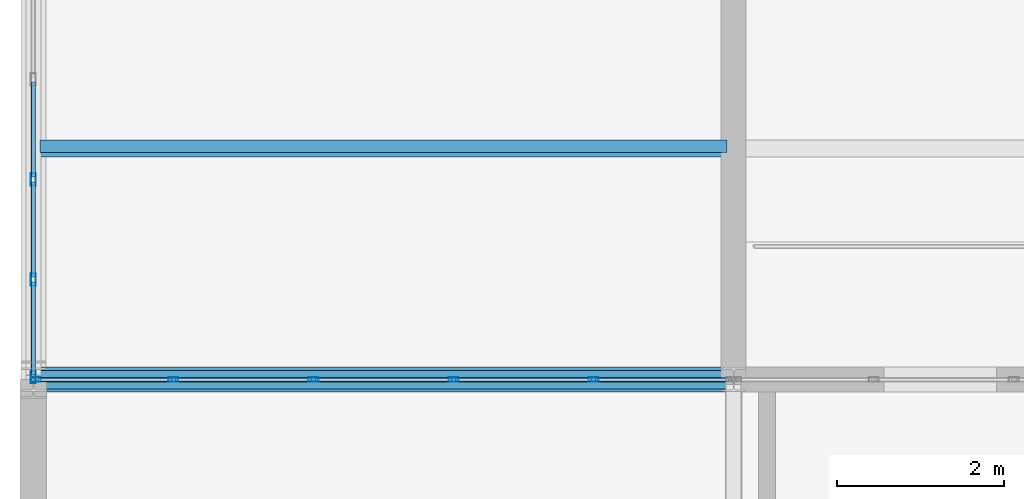
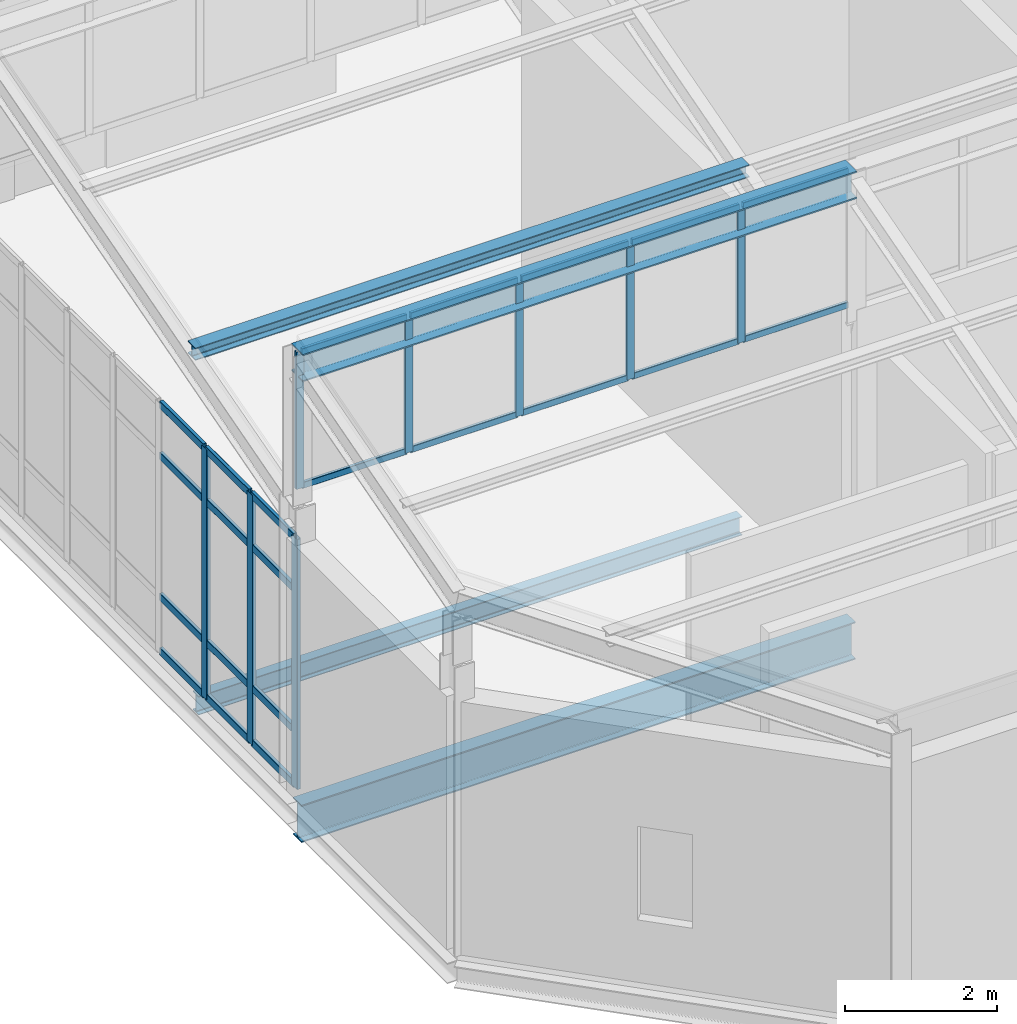
# One storey, part 6 of 53: 31 members, 3 beams, 2 elements without a shape of their own.
"""IFC4 building model written with IfcOpenShell, lengths in metres."""

from ifc_helpers import new_model, si_unit, direction, frame, origin, origin_2d, place, context, subcontext, project, spatial, hollow_rectangle, i_section, extrude, material, layer, layer_set, material_profile, profile_set, type_object, element, aggregate, save


model = new_model("IFC4")

# Units and contexts
model_context = context("Model", 3, precision=1e-05, world=origin(), true_north=direction((0.0, 1.0)))
body_context = subcontext(model_context, "Body", "Model", "MODEL_VIEW")
ifc_project = project(units=[si_unit("LENGTHUNIT", "METRE"), si_unit("AREAUNIT", "SQUARE_METRE"), si_unit("VOLUMEUNIT", "CUBIC_METRE"), si_unit("PLANEANGLEUNIT", "RADIAN"), si_unit("MASSUNIT", "GRAM", prefix="KILO")], contexts=[model_context])

# Site, building, storey
site_placement = place(None, origin())
site = spatial("IfcSite", under=ifc_project, at=site_placement, CompositionType="ELEMENT")
building_placement = place(site_placement, origin())
building = spatial("IfcBuilding", under=site, at=building_placement, Name="Qalvenar Corner Mobility Hub", CompositionType="ELEMENT")
storey_placement = place(building_placement, frame((0.0, 0.0, 26.39990234375)))
storey = spatial("IfcBuildingStorey", under=building, at=storey_placement, Name="L06", CompositionType="ELEMENT", Elevation=26.39990234375)

# Beams
ifc_material_1 = material(Name="Steel S355", Category="steel")
ifc_material_profile_1 = material_profile(ifc_material_1, i_section(OverallWidth=0.300048828125, OverallDepth=0.43994140625, WebThickness=0.011474609375, FlangeThickness=0.02099609375, FilletRadius=0.027099609375, at=origin_2d()), Name="HEA450")
ifc_profile_set_1 = profile_set([ifc_material_profile_1], Name="Steel S355")
beam_type_1 = type_object("IfcBeamType", Name="BM-HEA450", PredefinedType="BEAM", material=ifc_profile_set_1)
beam_1_placement = place(storey_placement, frame((0.0, 8.39990234375, 6.81005859375), z_axis=(1.0, 0.0, 0.0), x_axis=(0.0, 1.0, 0.0)))
element("IfcBeam", 1, at=beam_1_placement, inside=storey, type_object=beam_type_1, Name="Sawtooth Ridge Girder V3RDG-1-1", PredefinedType="BEAM", context=body_context, shape_type="SweptSolid", body=[
    extrude(i_section(OverallWidth=0.300048828125, OverallDepth=0.43994140625, WebThickness=0.011474609375, FlangeThickness=0.02099609375, FilletRadius=0.027099609375, at=origin_2d()), origin(), (0.0, 0.0, 1.0), 8.39990234375),
])
ifc_material_profile_2 = material_profile(ifc_material_1, i_section(OverallWidth=0.219970703125, OverallDepth=0.60009765625, WebThickness=0.011962890625, FlangeThickness=0.01904296875, FilletRadius=0.02392578125, at=origin_2d()), Name="IPE600")
ifc_profile_set_2 = profile_set([ifc_material_profile_2], Name="Steel S355")
beam_type_2 = type_object("IfcBeamType", Name="BM-IPE600", PredefinedType="BEAM", material=ifc_profile_set_2)
beam_2_placement = place(storey_placement, frame((0.0, 8.39990234375, -0.52001953125), z_axis=(1.0, 0.0, 0.0), x_axis=(0.0, 1.0, 0.0)))
element("IfcBeam", 2, at=beam_2_placement, inside=storey, type_object=beam_type_2, Name="Primary Steel Girder GX-3057", PredefinedType="BEAM", context=body_context, shape_type="SweptSolid", body=[
    extrude(i_section(OverallWidth=0.219970703125, OverallDepth=0.60009765625, WebThickness=0.011962890625, FlangeThickness=0.01904296875, FilletRadius=0.02392578125, at=origin_2d()), origin(), (0.0, 0.0, 1.0), 8.39990234375),
])
ifc_material_profile_3 = material_profile(ifc_material_1, i_section(OverallWidth=0.14990234375, OverallDepth=0.300048828125, WebThickness=0.007080078125, FlangeThickness=0.0107421875, FilletRadius=0.014892578125, at=origin_2d()), Name="IPE300")
ifc_profile_set_3 = profile_set([ifc_material_profile_3], Name="Steel S355")
beam_type_3 = type_object("IfcBeamType", Name="BM-JST300", PredefinedType="JOIST", material=ifc_profile_set_3)
beam_3_placement = place(storey_placement, frame((0.077880859375, 11.199951171875, -0.369873046875), z_axis=(1.0, 0.0, 0.0), x_axis=(0.0, 1.0, 0.0)))
element("IfcBeam", 3, at=beam_3_placement, inside=storey, type_object=beam_type_3, Name="Composite Floor Joist J-3104", PredefinedType="JOIST", context=body_context, shape_type="SweptSolid", body=[
    extrude(i_section(OverallWidth=0.14990234375, OverallDepth=0.300048828125, WebThickness=0.007080078125, FlangeThickness=0.0107421875, FilletRadius=0.014892578125, at=origin_2d()), origin(), (0.0, 0.0, 1.0), 8.244140625),
])

# Curtain wall, members
ifc_material_2 = material(Name="Anodised Aluminium and Low-E Glazing", Category="aluminium")
ifc_layer_1 = layer(ifc_material_2, 0.1201171875)
ifc_layer_set_1 = layer_set([ifc_layer_1], Name="Anodised Aluminium and Low-E Glazing")
curtain_wall_type_1 = type_object("IfcCurtainWallType", Name="CW-CLR-84X24", PredefinedType="NOTDEFINED", material=ifc_layer_set_1)
curtain_wall_1_placement = place(storey_placement, origin())
curtain_wall_1 = element("IfcCurtainWall", 4, at=curtain_wall_1_placement, inside=storey, type_object=curtain_wall_type_1, Name="Glazed Curtain Wall CW-V3-SAW-1-0", PredefinedType="NOTDEFINED")
ifc_material_3 = material(Name="Anodised Aluminium 6063-T6", Category="aluminium")
ifc_material_profile_4 = material_profile(ifc_material_3, hollow_rectangle(XDim=0.054931640625, YDim=0.1201171875, WallThickness=0.00341796875, InnerFilletRadius=0.00341796875, OuterFilletRadius=0.007080078125, at=origin_2d()), Name="RHS120x55x3.5")
ifc_profile_set_4 = profile_set([ifc_material_profile_4], Name="Anodised Aluminium 6063-T6")
member_type_1 = type_object("IfcMemberType", Name="CW-MUL120", PredefinedType="MULLION", material=ifc_profile_set_4)
member_1_placement = place(storey_placement, frame((6.719970703125, 8.39990234375, 4.800048828125), z_axis=(0.0, 0.0, 1.0), x_axis=(0.0, -1.0, 0.0)))
member_1 = element("IfcMember", 5, at=member_1_placement, type_object=member_type_1, Name="CW-12 mullion 2", PredefinedType="MULLION", context=body_context, shape_type="SweptSolid", body=[
    extrude(hollow_rectangle(XDim=0.054931640625, YDim=0.1201171875, WallThickness=0.00341796875, InnerFilletRadius=0.00341796875, OuterFilletRadius=0.007080078125, at=origin_2d()), origin(), (0.0, 0.0, 1.0), 2.199951171875),
])
member_2_placement = place(storey_placement, frame((5.0400390625, 8.39990234375, 4.800048828125), z_axis=(0.0, 0.0, 1.0), x_axis=(0.0, -1.0, 0.0)))
member_2 = element("IfcMember", 6, at=member_2_placement, type_object=member_type_1, Name="CW-12 mullion 3", PredefinedType="MULLION", context=body_context, shape_type="SweptSolid", body=[
    extrude(hollow_rectangle(XDim=0.054931640625, YDim=0.1201171875, WallThickness=0.00341796875, InnerFilletRadius=0.00341796875, OuterFilletRadius=0.007080078125, at=origin_2d()), origin(), (0.0, 0.0, 1.0), 2.199951171875),
])
member_3_placement = place(storey_placement, frame((3.360107421875, 8.39990234375, 4.800048828125), z_axis=(0.0, 0.0, 1.0), x_axis=(0.0, -1.0, 0.0)))
member_3 = element("IfcMember", 7, at=member_3_placement, type_object=member_type_1, Name="CW-12 mullion 4", PredefinedType="MULLION", context=body_context, shape_type="SweptSolid", body=[
    extrude(hollow_rectangle(XDim=0.054931640625, YDim=0.1201171875, WallThickness=0.00341796875, InnerFilletRadius=0.00341796875, OuterFilletRadius=0.007080078125, at=origin_2d()), origin(), (0.0, 0.0, 1.0), 2.199951171875),
])
member_4_placement = place(storey_placement, frame((1.679931640625, 8.39990234375, 4.800048828125), z_axis=(0.0, 0.0, 1.0), x_axis=(0.0, -1.0, 0.0)))
member_4 = element("IfcMember", 8, at=member_4_placement, type_object=member_type_1, Name="CW-12 mullion 5", PredefinedType="MULLION", context=body_context, shape_type="SweptSolid", body=[
    extrude(hollow_rectangle(XDim=0.054931640625, YDim=0.1201171875, WallThickness=0.00341796875, InnerFilletRadius=0.00341796875, OuterFilletRadius=0.007080078125, at=origin_2d()), origin(), (0.0, 0.0, 1.0), 2.199951171875),
])
member_5_placement = place(storey_placement, frame((0.030029296875, 8.39990234375, 4.800048828125), z_axis=(0.0, 0.0, 1.0), x_axis=(0.0, -1.0, 0.0)))
member_5 = element("IfcMember", 9, at=member_5_placement, type_object=member_type_1, Name="CW-12 mullion 6", PredefinedType="MULLION", context=body_context, shape_type="SweptSolid", body=[
    extrude(hollow_rectangle(XDim=0.054931640625, YDim=0.1201171875, WallThickness=0.00341796875, InnerFilletRadius=0.00341796875, OuterFilletRadius=0.007080078125, at=origin_2d()), origin(), (0.0, 0.0, 1.0), 2.199951171875),
])

ifc_layer_2 = layer(ifc_material_2, 0.14990234375)
ifc_layer_set_2 = layer_set([ifc_layer_2], Name="Anodised Aluminium and Low-E Glazing")
curtain_wall_type_2 = type_object("IfcCurtainWallType", Name="CW-CIV-84X40", PredefinedType="NOTDEFINED", material=ifc_layer_set_2)
curtain_wall_2_placement = place(storey_placement, origin())
curtain_wall_2 = element("IfcCurtainWall", 10, at=curtain_wall_2_placement, inside=storey, type_object=curtain_wall_type_2, Name="Glazed Curtain Wall CW-V3-L06-W1", PredefinedType="NOTDEFINED")
ifc_material_profile_5 = material_profile(ifc_material_3, hollow_rectangle(XDim=0.06005859375, YDim=0.14990234375, WallThickness=0.00390625, InnerFilletRadius=0.00390625, OuterFilletRadius=0.008056640625, at=origin_2d()), Name="RHS150x60x4")
ifc_profile_set_5 = profile_set([ifc_material_profile_5], Name="Anodised Aluminium 6063-T6")
member_type_2 = type_object("IfcMemberType", Name="CW-MUL150", PredefinedType="MULLION", material=ifc_profile_set_5)
member_6_placement = place(storey_placement, frame((0.0, 10.800048828125, 0.0), z_axis=(0.0, 0.0, 1.0), x_axis=(1.0, 0.0, 0.0)))
member_6 = element("IfcMember", 11, at=member_6_placement, type_object=member_type_2, Name="CW-05 mullion 6", PredefinedType="MULLION", context=body_context, shape_type="SweptSolid", body=[
    extrude(hollow_rectangle(XDim=0.06005859375, YDim=0.14990234375, WallThickness=0.00390625, InnerFilletRadius=0.00390625, OuterFilletRadius=0.008056640625, at=origin_2d()), origin(), (0.0, 0.0, 1.0), 4.010009765625),
])
member_7_placement = place(storey_placement, frame((0.0, 9.60009765625, 0.0), z_axis=(0.0, 0.0, 1.0), x_axis=(1.0, 0.0, 0.0)))
member_7 = element("IfcMember", 12, at=member_7_placement, type_object=member_type_2, Name="CW-05 mullion 7", PredefinedType="MULLION", context=body_context, shape_type="SweptSolid", body=[
    extrude(hollow_rectangle(XDim=0.06005859375, YDim=0.14990234375, WallThickness=0.00390625, InnerFilletRadius=0.00390625, OuterFilletRadius=0.008056640625, at=origin_2d()), origin(), (0.0, 0.0, 1.0), 4.010009765625),
])
member_8_placement = place(storey_placement, frame((0.0, 8.429931640625, 0.0), z_axis=(0.0, 0.0, 1.0), x_axis=(1.0, 0.0, 0.0)))
member_8 = element("IfcMember", 13, at=member_8_placement, type_object=member_type_2, Name="CW-05 mullion 8", PredefinedType="MULLION", context=body_context, shape_type="SweptSolid", body=[
    extrude(hollow_rectangle(XDim=0.06005859375, YDim=0.14990234375, WallThickness=0.00390625, InnerFilletRadius=0.00390625, OuterFilletRadius=0.008056640625, at=origin_2d()), origin(), (0.0, 0.0, 1.0), 4.010009765625),
])

# Member
ifc_material_profile_6 = material_profile(ifc_material_3, hollow_rectangle(XDim=0.050048828125, YDim=0.10009765625, WallThickness=0.0029296875, InnerFilletRadius=0.0029296875, OuterFilletRadius=0.006103515625, at=origin_2d()), Name="RHS100x50x3")
ifc_profile_set_6 = profile_set([ifc_material_profile_6], Name="Anodised Aluminium 6063-T6")
member_type_3 = type_object("IfcMemberType", Name="CW-TRN100", PredefinedType="USERDEFINED", material=ifc_profile_set_6)
member_9_placement = place(storey_placement, frame((8.340087890625, 8.39990234375, 4.82763671875), z_axis=(-1.0, 0.0, 0.0), x_axis=(0.0, -1.0, 0.0)))
member_9 = element("IfcMember", 14, at=member_9_placement, type_object=member_type_3, Name="CW-12 transom 1.1", ObjectType="TRANSOM", PredefinedType="USERDEFINED", context=body_context, shape_type="SweptSolid", body=[
    extrude(hollow_rectangle(XDim=0.050048828125, YDim=0.10009765625, WallThickness=0.0029296875, InnerFilletRadius=0.0029296875, OuterFilletRadius=0.006103515625, at=origin_2d()), origin(), (0.0, 0.0, 1.0), 1.590087890625),
])

member_10_placement = place(storey_placement, frame((8.340087890625, 8.39990234375, 6.97265625), z_axis=(-1.0, 0.0, 0.0), x_axis=(0.0, -1.0, 0.0)))
member_10 = element("IfcMember", 15, at=member_10_placement, type_object=member_type_3, Name="CW-12 transom 1.2", ObjectType="TRANSOM", PredefinedType="USERDEFINED", context=body_context, shape_type="SweptSolid", body=[
    extrude(hollow_rectangle(XDim=0.050048828125, YDim=0.10009765625, WallThickness=0.0029296875, InnerFilletRadius=0.0029296875, OuterFilletRadius=0.006103515625, at=origin_2d()), origin(), (0.0, 0.0, 1.0), 1.590087890625),
])

member_11_placement = place(storey_placement, frame((6.68994140625, 8.39990234375, 4.82763671875), z_axis=(-1.0, 0.0, 0.0), x_axis=(0.0, -1.0, 0.0)))
member_11 = element("IfcMember", 16, at=member_11_placement, type_object=member_type_3, Name="CW-12 transom 2.1", ObjectType="TRANSOM", PredefinedType="USERDEFINED", context=body_context, shape_type="SweptSolid", body=[
    extrude(hollow_rectangle(XDim=0.050048828125, YDim=0.10009765625, WallThickness=0.0029296875, InnerFilletRadius=0.0029296875, OuterFilletRadius=0.006103515625, at=origin_2d()), origin(), (0.0, 0.0, 1.0), 1.619873046875),
])

member_12_placement = place(storey_placement, frame((6.68994140625, 8.39990234375, 6.97265625), z_axis=(-1.0, 0.0, 0.0), x_axis=(0.0, -1.0, 0.0)))
member_12 = element("IfcMember", 17, at=member_12_placement, type_object=member_type_3, Name="CW-12 transom 2.2", ObjectType="TRANSOM", PredefinedType="USERDEFINED", context=body_context, shape_type="SweptSolid", body=[
    extrude(hollow_rectangle(XDim=0.050048828125, YDim=0.10009765625, WallThickness=0.0029296875, InnerFilletRadius=0.0029296875, OuterFilletRadius=0.006103515625, at=origin_2d()), origin(), (0.0, 0.0, 1.0), 1.619873046875),
])

member_13_placement = place(storey_placement, frame((5.010009765625, 8.39990234375, 4.82763671875), z_axis=(-1.0, 0.0, 0.0), x_axis=(0.0, -1.0, 0.0)))
member_13 = element("IfcMember", 18, at=member_13_placement, type_object=member_type_3, Name="CW-12 transom 3.1", ObjectType="TRANSOM", PredefinedType="USERDEFINED", context=body_context, shape_type="SweptSolid", body=[
    extrude(hollow_rectangle(XDim=0.050048828125, YDim=0.10009765625, WallThickness=0.0029296875, InnerFilletRadius=0.0029296875, OuterFilletRadius=0.006103515625, at=origin_2d()), origin(), (0.0, 0.0, 1.0), 1.6201171875),
])

member_14_placement = place(storey_placement, frame((5.010009765625, 8.39990234375, 6.97265625), z_axis=(-1.0, 0.0, 0.0), x_axis=(0.0, -1.0, 0.0)))
member_14 = element("IfcMember", 19, at=member_14_placement, type_object=member_type_3, Name="CW-12 transom 3.2", ObjectType="TRANSOM", PredefinedType="USERDEFINED", context=body_context, shape_type="SweptSolid", body=[
    extrude(hollow_rectangle(XDim=0.050048828125, YDim=0.10009765625, WallThickness=0.0029296875, InnerFilletRadius=0.0029296875, OuterFilletRadius=0.006103515625, at=origin_2d()), origin(), (0.0, 0.0, 1.0), 1.6201171875),
])

member_15_placement = place(storey_placement, frame((3.330078125, 8.39990234375, 4.82763671875), z_axis=(-1.0, 0.0, 0.0), x_axis=(0.0, -1.0, 0.0)))
member_15 = element("IfcMember", 20, at=member_15_placement, type_object=member_type_3, Name="CW-12 transom 4.1", ObjectType="TRANSOM", PredefinedType="USERDEFINED", context=body_context, shape_type="SweptSolid", body=[
    extrude(hollow_rectangle(XDim=0.050048828125, YDim=0.10009765625, WallThickness=0.0029296875, InnerFilletRadius=0.0029296875, OuterFilletRadius=0.006103515625, at=origin_2d()), origin(), (0.0, 0.0, 1.0), 1.6201171875),
])

member_16_placement = place(storey_placement, frame((3.330078125, 8.39990234375, 6.97265625), z_axis=(-1.0, 0.0, 0.0), x_axis=(0.0, -1.0, 0.0)))
member_16 = element("IfcMember", 21, at=member_16_placement, type_object=member_type_3, Name="CW-12 transom 4.2", ObjectType="TRANSOM", PredefinedType="USERDEFINED", context=body_context, shape_type="SweptSolid", body=[
    extrude(hollow_rectangle(XDim=0.050048828125, YDim=0.10009765625, WallThickness=0.0029296875, InnerFilletRadius=0.0029296875, OuterFilletRadius=0.006103515625, at=origin_2d()), origin(), (0.0, 0.0, 1.0), 1.6201171875),
])

member_17_placement = place(storey_placement, frame((1.64990234375, 8.39990234375, 4.82763671875), z_axis=(-1.0, 0.0, 0.0), x_axis=(0.0, -1.0, 0.0)))
member_17 = element("IfcMember", 22, at=member_17_placement, type_object=member_type_3, Name="CW-12 transom 5.1", ObjectType="TRANSOM", PredefinedType="USERDEFINED", context=body_context, shape_type="SweptSolid", body=[
    extrude(hollow_rectangle(XDim=0.050048828125, YDim=0.10009765625, WallThickness=0.0029296875, InnerFilletRadius=0.0029296875, OuterFilletRadius=0.006103515625, at=origin_2d()), origin(), (0.0, 0.0, 1.0), 1.58984375),
])

member_18_placement = place(storey_placement, frame((1.64990234375, 8.39990234375, 6.97265625), z_axis=(-1.0, 0.0, 0.0), x_axis=(0.0, -1.0, 0.0)))
member_18 = element("IfcMember", 23, at=member_18_placement, type_object=member_type_3, Name="CW-12 transom 5.2", ObjectType="TRANSOM", PredefinedType="USERDEFINED", context=body_context, shape_type="SweptSolid", body=[
    extrude(hollow_rectangle(XDim=0.050048828125, YDim=0.10009765625, WallThickness=0.0029296875, InnerFilletRadius=0.0029296875, OuterFilletRadius=0.006103515625, at=origin_2d()), origin(), (0.0, 0.0, 1.0), 1.58984375),
])

aggregate(curtain_wall_1, [member_1, member_2, member_3, member_4, member_5, member_9, member_10, member_11, member_12, member_13, member_14, member_15, member_16, member_17, member_18])

ifc_material_profile_7 = material_profile(ifc_material_3, hollow_rectangle(XDim=0.054931640625, YDim=0.1201171875, WallThickness=0.00341796875, InnerFilletRadius=0.00341796875, OuterFilletRadius=0.007080078125, at=origin_2d()), Name="RHS120x55x3.5")
ifc_profile_set_7 = profile_set([ifc_material_profile_7], Name="Anodised Aluminium 6063-T6")
member_type_4 = type_object("IfcMemberType", Name="CW-TRN120", PredefinedType="USERDEFINED", material=ifc_profile_set_7)
member_19_placement = place(storey_placement, frame((0.0, 11.969970703125, 0.027587890625), z_axis=(0.0, -1.0, 0.0), x_axis=(1.0, 0.0, 0.0)))
member_19 = element("IfcMember", 24, at=member_19_placement, type_object=member_type_4, Name="CW-05 transom 5.1", ObjectType="TRANSOM", PredefinedType="USERDEFINED", context=body_context, shape_type="SweptSolid", body=[
    extrude(hollow_rectangle(XDim=0.054931640625, YDim=0.1201171875, WallThickness=0.00341796875, InnerFilletRadius=0.00341796875, OuterFilletRadius=0.007080078125, at=origin_2d()), origin(), (0.0, 0.0, 1.0), 1.139892578125),
])

member_20_placement = place(storey_placement, frame((0.0, 11.969970703125, 0.900146484375), z_axis=(0.0, -1.0, 0.0), x_axis=(1.0, 0.0, 0.0)))
member_20 = element("IfcMember", 25, at=member_20_placement, type_object=member_type_4, Name="CW-05 transom 5.2", ObjectType="TRANSOM", PredefinedType="USERDEFINED", context=body_context, shape_type="SweptSolid", body=[
    extrude(hollow_rectangle(XDim=0.054931640625, YDim=0.1201171875, WallThickness=0.00341796875, InnerFilletRadius=0.00341796875, OuterFilletRadius=0.007080078125, at=origin_2d()), origin(), (0.0, 0.0, 1.0), 1.139892578125),
])

member_21_placement = place(storey_placement, frame((0.0, 11.969970703125, 3.16015625), z_axis=(0.0, -1.0, 0.0), x_axis=(1.0, 0.0, 0.0)))
member_21 = element("IfcMember", 26, at=member_21_placement, type_object=member_type_4, Name="CW-05 transom 5.3", ObjectType="TRANSOM", PredefinedType="USERDEFINED", context=body_context, shape_type="SweptSolid", body=[
    extrude(hollow_rectangle(XDim=0.054931640625, YDim=0.1201171875, WallThickness=0.00341796875, InnerFilletRadius=0.00341796875, OuterFilletRadius=0.007080078125, at=origin_2d()), origin(), (0.0, 0.0, 1.0), 1.139892578125),
])

member_22_placement = place(storey_placement, frame((0.0, 11.969970703125, 3.982666015625), z_axis=(0.0, -1.0, 0.0), x_axis=(1.0, 0.0, 0.0)))
member_22 = element("IfcMember", 27, at=member_22_placement, type_object=member_type_4, Name="CW-05 transom 5.4", ObjectType="TRANSOM", PredefinedType="USERDEFINED", context=body_context, shape_type="SweptSolid", body=[
    extrude(hollow_rectangle(XDim=0.054931640625, YDim=0.1201171875, WallThickness=0.00341796875, InnerFilletRadius=0.00341796875, OuterFilletRadius=0.007080078125, at=origin_2d()), origin(), (0.0, 0.0, 1.0), 1.139892578125),
])

member_23_placement = place(storey_placement, frame((0.0, 10.77001953125, 0.027587890625), z_axis=(0.0, -1.0, 0.0), x_axis=(1.0, 0.0, 0.0)))
member_23 = element("IfcMember", 28, at=member_23_placement, type_object=member_type_4, Name="CW-05 transom 6.1", ObjectType="TRANSOM", PredefinedType="USERDEFINED", context=body_context, shape_type="SweptSolid", body=[
    extrude(hollow_rectangle(XDim=0.054931640625, YDim=0.1201171875, WallThickness=0.00341796875, InnerFilletRadius=0.00341796875, OuterFilletRadius=0.007080078125, at=origin_2d()), origin(), (0.0, 0.0, 1.0), 1.14013671875),
])

member_24_placement = place(storey_placement, frame((0.0, 10.77001953125, 0.900146484375), z_axis=(0.0, -1.0, 0.0), x_axis=(1.0, 0.0, 0.0)))
member_24 = element("IfcMember", 29, at=member_24_placement, type_object=member_type_4, Name="CW-05 transom 6.2", ObjectType="TRANSOM", PredefinedType="USERDEFINED", context=body_context, shape_type="SweptSolid", body=[
    extrude(hollow_rectangle(XDim=0.054931640625, YDim=0.1201171875, WallThickness=0.00341796875, InnerFilletRadius=0.00341796875, OuterFilletRadius=0.007080078125, at=origin_2d()), origin(), (0.0, 0.0, 1.0), 1.14013671875),
])

member_25_placement = place(storey_placement, frame((0.0, 10.77001953125, 3.16015625), z_axis=(0.0, -1.0, 0.0), x_axis=(1.0, 0.0, 0.0)))
member_25 = element("IfcMember", 30, at=member_25_placement, type_object=member_type_4, Name="CW-05 transom 6.3", ObjectType="TRANSOM", PredefinedType="USERDEFINED", context=body_context, shape_type="SweptSolid", body=[
    extrude(hollow_rectangle(XDim=0.054931640625, YDim=0.1201171875, WallThickness=0.00341796875, InnerFilletRadius=0.00341796875, OuterFilletRadius=0.007080078125, at=origin_2d()), origin(), (0.0, 0.0, 1.0), 1.14013671875),
])

member_26_placement = place(storey_placement, frame((0.0, 10.77001953125, 3.982666015625), z_axis=(0.0, -1.0, 0.0), x_axis=(1.0, 0.0, 0.0)))
member_26 = element("IfcMember", 31, at=member_26_placement, type_object=member_type_4, Name="CW-05 transom 6.4", ObjectType="TRANSOM", PredefinedType="USERDEFINED", context=body_context, shape_type="SweptSolid", body=[
    extrude(hollow_rectangle(XDim=0.054931640625, YDim=0.1201171875, WallThickness=0.00341796875, InnerFilletRadius=0.00341796875, OuterFilletRadius=0.007080078125, at=origin_2d()), origin(), (0.0, 0.0, 1.0), 1.14013671875),
])

member_27_placement = place(storey_placement, frame((0.0, 9.570068359375, 0.027587890625), z_axis=(0.0, -1.0, 0.0), x_axis=(1.0, 0.0, 0.0)))
member_27 = element("IfcMember", 32, at=member_27_placement, type_object=member_type_4, Name="CW-05 transom 7.1", ObjectType="TRANSOM", PredefinedType="USERDEFINED", context=body_context, shape_type="SweptSolid", body=[
    extrude(hollow_rectangle(XDim=0.054931640625, YDim=0.1201171875, WallThickness=0.00341796875, InnerFilletRadius=0.00341796875, OuterFilletRadius=0.007080078125, at=origin_2d()), origin(), (0.0, 0.0, 1.0), 1.110107421875),
])

member_28_placement = place(storey_placement, frame((0.0, 9.570068359375, 0.900146484375), z_axis=(0.0, -1.0, 0.0), x_axis=(1.0, 0.0, 0.0)))
member_28 = element("IfcMember", 33, at=member_28_placement, type_object=member_type_4, Name="CW-05 transom 7.2", ObjectType="TRANSOM", PredefinedType="USERDEFINED", context=body_context, shape_type="SweptSolid", body=[
    extrude(hollow_rectangle(XDim=0.054931640625, YDim=0.1201171875, WallThickness=0.00341796875, InnerFilletRadius=0.00341796875, OuterFilletRadius=0.007080078125, at=origin_2d()), origin(), (0.0, 0.0, 1.0), 1.110107421875),
])

member_29_placement = place(storey_placement, frame((0.0, 9.570068359375, 3.16015625), z_axis=(0.0, -1.0, 0.0), x_axis=(1.0, 0.0, 0.0)))
member_29 = element("IfcMember", 34, at=member_29_placement, type_object=member_type_4, Name="CW-05 transom 7.3", ObjectType="TRANSOM", PredefinedType="USERDEFINED", context=body_context, shape_type="SweptSolid", body=[
    extrude(hollow_rectangle(XDim=0.054931640625, YDim=0.1201171875, WallThickness=0.00341796875, InnerFilletRadius=0.00341796875, OuterFilletRadius=0.007080078125, at=origin_2d()), origin(), (0.0, 0.0, 1.0), 1.110107421875),
])

member_30_placement = place(storey_placement, frame((0.0, 9.570068359375, 3.982666015625), z_axis=(0.0, -1.0, 0.0), x_axis=(1.0, 0.0, 0.0)))
member_30 = element("IfcMember", 35, at=member_30_placement, type_object=member_type_4, Name="CW-05 transom 7.4", ObjectType="TRANSOM", PredefinedType="USERDEFINED", context=body_context, shape_type="SweptSolid", body=[
    extrude(hollow_rectangle(XDim=0.054931640625, YDim=0.1201171875, WallThickness=0.00341796875, InnerFilletRadius=0.00341796875, OuterFilletRadius=0.007080078125, at=origin_2d()), origin(), (0.0, 0.0, 1.0), 1.110107421875),
])

aggregate(curtain_wall_2, [member_6, member_7, member_8, member_19, member_20, member_21, member_22, member_23, member_24, member_25, member_26, member_27, member_28, member_29, member_30])

ifc_material_profile_8 = material_profile(ifc_material_1, i_section(OverallWidth=0.199951171875, OverallDepth=0.199951171875, WebThickness=0.009033203125, FlangeThickness=0.014892578125, FilletRadius=0.01806640625, at=origin_2d()), Name="HEB200")
ifc_profile_set_8 = profile_set([ifc_material_profile_8], Name="Steel S355")
member_type_5 = type_object("IfcMemberType", Name="PR-RHS200", PredefinedType="PURLIN", material=ifc_profile_set_8)
member_31_placement = place(storey_placement, frame((0.0, 11.172119140625, 5.322021484375), z_axis=(1.0, 0.0, 0.0), x_axis=(0.0, 1.0, 0.0)))
element("IfcMember", 36, at=member_31_placement, inside=storey, type_object=member_type_5, Name="Sawtooth Roof Purlin PR-V3-2-1-33", PredefinedType="PURLIN", context=body_context, shape_type="SweptSolid", body=[
    extrude(i_section(OverallWidth=0.199951171875, OverallDepth=0.199951171875, WebThickness=0.009033203125, FlangeThickness=0.014892578125, FilletRadius=0.01806640625, at=origin_2d()), origin(), (0.0, 0.0, 1.0), 8.39990234375),
])

save(model, "model.ifc")
